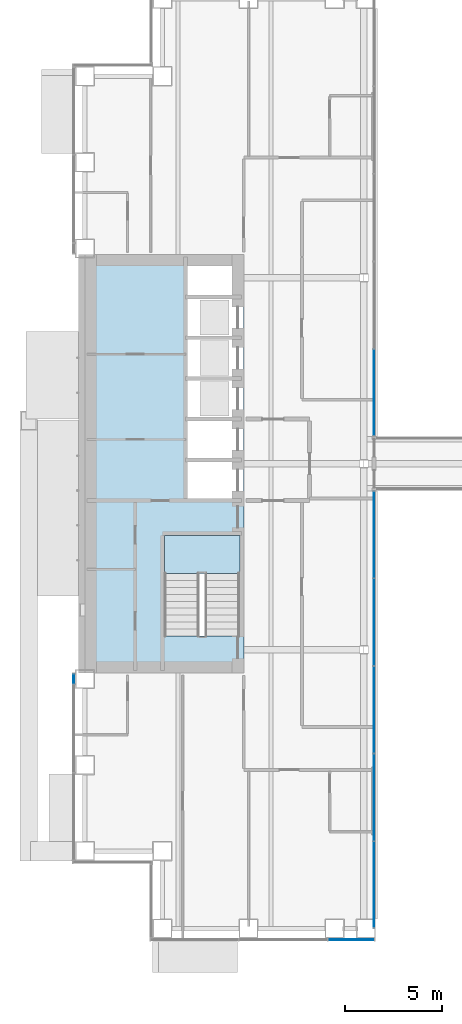
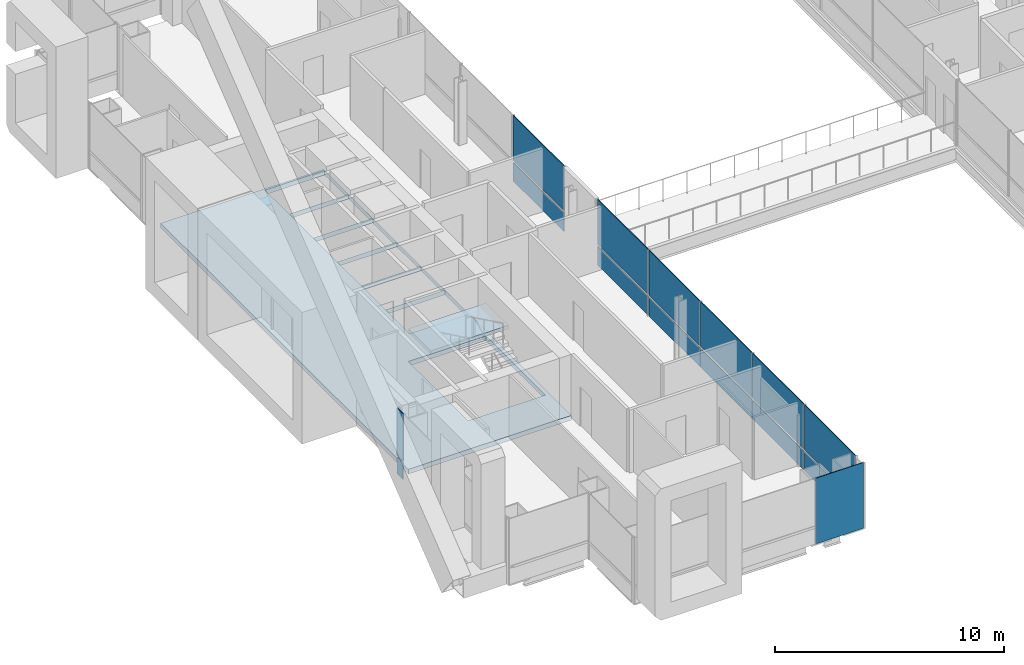
# One storey, part 12 of 26: 15 plates, 2 slabs, 5 elements without a shape of their own.
"""IFC4 building model written with IfcOpenShell, lengths in metres."""

from ifc_helpers import new_model, si_unit, direction, frame, origin, origin_2d, place, context, subcontext, project, spatial, polyline, rectangle, outline, extrude, material, layer, layer_set, type_object, element, aggregate, save


model = new_model("IFC4")

# Units and contexts
model_context = context("Model", 3, precision=1e-05, world=origin(), true_north=direction((0.0, 1.0)))
body_context = subcontext(model_context, "Body", "Model", "MODEL_VIEW")
ifc_project = project(units=[si_unit("LENGTHUNIT", "METRE"), si_unit("AREAUNIT", "SQUARE_METRE"), si_unit("VOLUMEUNIT", "CUBIC_METRE"), si_unit("PLANEANGLEUNIT", "RADIAN"), si_unit("MASSUNIT", "GRAM", prefix="KILO")], contexts=[model_context])

# Site, building, storey
site_placement = place(None, origin())
site = spatial("IfcSite", under=ifc_project, at=site_placement, CompositionType="ELEMENT")
building_placement = place(site_placement, origin())
building = spatial("IfcBuilding", under=site, at=building_placement, Name="Cobrizo Arcos Hotel Tower", CompositionType="ELEMENT")
storey_placement = place(building_placement, frame((0.0, 0.0, 67.0)))
storey = spatial("IfcBuildingStorey", under=building, at=storey_placement, Name="L15", CompositionType="ELEMENT", Elevation=67.0)

# Curtain wall, plate
ifc_material_1 = material(Name="Aluminium 6063-T6 anodised bronze", Category="aluminium")
curtain_wall_type_1 = type_object("IfcCurtainWallType", Name="CW-A guest facade", PredefinedType="NOTDEFINED", material=ifc_material_1)
curtain_wall_1_placement = place(storey_placement, origin())
curtain_wall_1 = element("IfcCurtainWall", 1, at=curtain_wall_1_placement, inside=storey, type_object=curtain_wall_type_1, Name="CW-A L15 W face", PredefinedType="NOTDEFINED")
ifc_material_2 = material(Name="Glass clear laminated low-e", Category="glass")
ifc_layer_1 = layer(ifc_material_2, 0.0400390625)
ifc_layer_set_1 = layer_set([ifc_layer_1], Name="CW-A glass panel")
plate_type_1 = type_object("IfcPlateType", Name="CW-A glass panel", PredefinedType="CURTAIN_PANEL", material=ifc_layer_set_1)
plate_1_placement = place(storey_placement, frame((-24.574951171875, -11.109375, 0.990234375), z_axis=(0.0, 0.0, 1.0), x_axis=(0.0, -1.0, 0.0)))
plate_1 = element("IfcPlate", 2, at=plate_1_placement, type_object=plate_type_1, Name="CW-A glass panel 680", PredefinedType="CURTAIN_PANEL", context=body_context, shape_type="SweptSolid", body=[
    extrude(rectangle(XDim=0.498779296875, YDim=0.0400390625, at=origin_2d()), origin(), (0.0, 0.0, 1.0), 2.510009765625),
])

curtain_wall_2_placement = place(storey_placement, origin())
curtain_wall_2 = element("IfcCurtainWall", 3, at=curtain_wall_2_placement, inside=storey, type_object=curtain_wall_type_1, Name="CW-A L15 S face", PredefinedType="NOTDEFINED")
ifc_material_3 = material(Name="Aluminium composite panel pale metal", Category="aluminium")
ifc_layer_2 = layer(ifc_material_3, 0.0400390625)
ifc_layer_set_2 = layer_set([ifc_layer_2], Name="CW-A spandrel panel")
plate_type_2 = type_object("IfcPlateType", Name="CW-A spandrel panel", PredefinedType="CURTAIN_PANEL", material=ifc_layer_set_2)
plate_2_placement = place(storey_placement, frame((-10.251220703125, -24.574951171875, 0.0), z_axis=(0.0, 0.0, 1.0), x_axis=(1.0, 0.0, 0.0)))
plate_2 = element("IfcPlate", 4, at=plate_2_placement, type_object=plate_type_2, Name="CW-A spandrel panel 655", PredefinedType="CURTAIN_PANEL", context=body_context, shape_type="SweptSolid", body=[
    extrude(rectangle(XDim=2.38232421875, YDim=0.0400390625, at=origin_2d()), origin(), (0.0, 0.0, 1.0), 3.5),
])
aggregate(curtain_wall_2, [plate_2])

# Plate
plate_3_placement = place(storey_placement, frame((-24.574951171875, -11.109375, 0.0), z_axis=(0.0, 0.0, 1.0), x_axis=(0.0, -1.0, 0.0)))
plate_3 = element("IfcPlate", 5, at=plate_3_placement, type_object=plate_type_2, Name="CW-A spandrel panel 680", PredefinedType="CURTAIN_PANEL", context=body_context, shape_type="SweptSolid", body=[
    extrude(rectangle(XDim=0.498779296875, YDim=0.0400390625, at=origin_2d()), origin(), (0.0, 0.0, 1.0), 0.8701171875),
])

aggregate(curtain_wall_1, [plate_3, plate_1])

# Curtain wall, plates
curtain_wall_type_2 = type_object("IfcCurtainWallType", Name="CW-F void screen", PredefinedType="NOTDEFINED", material=ifc_material_1)
curtain_wall_3_placement = place(storey_placement, origin())
curtain_wall_3 = element("IfcCurtainWall", 6, at=curtain_wall_3_placement, inside=storey, type_object=curtain_wall_type_2, Name="CW-F L15 void screen A", PredefinedType="NOTDEFINED")
ifc_layer_3 = layer(ifc_material_2, 0.0400390625)
ifc_layer_set_3 = layer_set([ifc_layer_3], Name="CW-F glass panel")
plate_type_3 = type_object("IfcPlateType", Name="CW-F glass panel", PredefinedType="CURTAIN_PANEL", material=ifc_layer_set_3)
plate_4_placement = place(storey_placement, frame((-9.074951171875, 3.675048828125, 0.0), z_axis=(0.0, 0.0, 1.0), x_axis=(0.0, -1.0, 0.0)))
plate_4 = element("IfcPlate", 7, at=plate_4_placement, type_object=plate_type_3, Name="CW-F glass panel 2482", PredefinedType="CURTAIN_PANEL", context=body_context, shape_type="SweptSolid", body=[
    extrude(rectangle(XDim=4.429931640625, YDim=0.0400390625, at=origin_2d()), origin(), (0.0, 0.0, 1.0), 0.989990234375),
])
plate_5_placement = place(storey_placement, frame((-9.074951171875, 3.675048828125, 1.10986328125), z_axis=(0.0, 0.0, 1.0), x_axis=(0.0, -1.0, 0.0)))
plate_5 = element("IfcPlate", 8, at=plate_5_placement, type_object=plate_type_3, Name="CW-F glass panel 2482", PredefinedType="CURTAIN_PANEL", context=body_context, shape_type="SweptSolid", body=[
    extrude(rectangle(XDim=4.429931640625, YDim=0.0400390625, at=origin_2d()), origin(), (0.0, 0.0, 1.0), 2.389892578125),
])
aggregate(curtain_wall_3, [plate_4, plate_5])

curtain_wall_4_placement = place(storey_placement, origin())
curtain_wall_4 = element("IfcCurtainWall", 9, at=curtain_wall_4_placement, inside=storey, type_object=curtain_wall_type_2, Name="CW-F L15 void screen A", PredefinedType="NOTDEFINED")
plate_6_placement = place(storey_placement, frame((-9.074951171875, -3.675048828125, 0.0), z_axis=(0.0, 0.0, 1.0), x_axis=(0.0, -1.0, 0.0)))
plate_6 = element("IfcPlate", 10, at=plate_6_placement, type_object=plate_type_3, Name="CW-F glass panel 2483", PredefinedType="CURTAIN_PANEL", context=body_context, shape_type="SweptSolid", body=[
    extrude(rectangle(XDim=4.429931640625, YDim=0.0400390625, at=origin_2d()), origin(), (0.0, 0.0, 1.0), 0.989990234375),
])
plate_7_placement = place(storey_placement, frame((-9.074951171875, -3.675048828125, 1.10986328125), z_axis=(0.0, 0.0, 1.0), x_axis=(0.0, -1.0, 0.0)))
plate_7 = element("IfcPlate", 11, at=plate_7_placement, type_object=plate_type_3, Name="CW-F glass panel 2483", PredefinedType="CURTAIN_PANEL", context=body_context, shape_type="SweptSolid", body=[
    extrude(rectangle(XDim=4.429931640625, YDim=0.0400390625, at=origin_2d()), origin(), (0.0, 0.0, 1.0), 2.389892578125),
])
plate_8_placement = place(storey_placement, frame((-9.074951171875, -8.179931640625, 0.0), z_axis=(0.0, 0.0, 1.0), x_axis=(0.0, -1.0, 0.0)))
plate_8 = element("IfcPlate", 12, at=plate_8_placement, type_object=plate_type_3, Name="CW-F glass panel 2484", PredefinedType="CURTAIN_PANEL", context=body_context, shape_type="SweptSolid", body=[
    extrude(rectangle(XDim=4.4599609375, YDim=0.0400390625, at=origin_2d()), origin(), (0.0, 0.0, 1.0), 0.989990234375),
])
plate_9_placement = place(storey_placement, frame((-9.074951171875, -8.179931640625, 1.10986328125), z_axis=(0.0, 0.0, 1.0), x_axis=(0.0, -1.0, 0.0)))
plate_9 = element("IfcPlate", 13, at=plate_9_placement, type_object=plate_type_3, Name="CW-F glass panel 2484", PredefinedType="CURTAIN_PANEL", context=body_context, shape_type="SweptSolid", body=[
    extrude(rectangle(XDim=4.4599609375, YDim=0.0400390625, at=origin_2d()), origin(), (0.0, 0.0, 1.0), 2.389892578125),
])
plate_10_placement = place(storey_placement, frame((-9.074951171875, -12.699951171875, 0.0), z_axis=(0.0, 0.0, 1.0), x_axis=(0.0, -1.0, 0.0)))
plate_10 = element("IfcPlate", 14, at=plate_10_placement, type_object=plate_type_3, Name="CW-F glass panel 2485", PredefinedType="CURTAIN_PANEL", context=body_context, shape_type="SweptSolid", body=[
    extrude(rectangle(XDim=4.4599609375, YDim=0.0400390625, at=origin_2d()), origin(), (0.0, 0.0, 1.0), 0.989990234375),
])
plate_11_placement = place(storey_placement, frame((-9.074951171875, -12.699951171875, 1.10986328125), z_axis=(0.0, 0.0, 1.0), x_axis=(0.0, -1.0, 0.0)))
plate_11 = element("IfcPlate", 15, at=plate_11_placement, type_object=plate_type_3, Name="CW-F glass panel 2485", PredefinedType="CURTAIN_PANEL", context=body_context, shape_type="SweptSolid", body=[
    extrude(rectangle(XDim=4.4599609375, YDim=0.0400390625, at=origin_2d()), origin(), (0.0, 0.0, 1.0), 2.389892578125),
])
plate_12_placement = place(storey_placement, frame((-9.074951171875, -17.219970703125, 0.0), z_axis=(0.0, 0.0, 1.0), x_axis=(0.0, -1.0, 0.0)))
plate_12 = element("IfcPlate", 16, at=plate_12_placement, type_object=plate_type_3, Name="CW-F glass panel 2486", PredefinedType="CURTAIN_PANEL", context=body_context, shape_type="SweptSolid", body=[
    extrude(rectangle(XDim=4.4599609375, YDim=0.0400390625, at=origin_2d()), origin(), (0.0, 0.0, 1.0), 0.989990234375),
])
plate_13_placement = place(storey_placement, frame((-9.074951171875, -17.219970703125, 1.10986328125), z_axis=(0.0, 0.0, 1.0), x_axis=(0.0, -1.0, 0.0)))
plate_13 = element("IfcPlate", 17, at=plate_13_placement, type_object=plate_type_3, Name="CW-F glass panel 2486", PredefinedType="CURTAIN_PANEL", context=body_context, shape_type="SweptSolid", body=[
    extrude(rectangle(XDim=4.4599609375, YDim=0.0400390625, at=origin_2d()), origin(), (0.0, 0.0, 1.0), 2.389892578125),
])
plate_14_placement = place(storey_placement, frame((-9.074951171875, -21.72509765625, 0.0), z_axis=(0.0, 0.0, 1.0), x_axis=(0.0, -1.0, 0.0)))
plate_14 = element("IfcPlate", 18, at=plate_14_placement, type_object=plate_type_3, Name="CW-F glass panel 2487", PredefinedType="CURTAIN_PANEL", context=body_context, shape_type="SweptSolid", body=[
    extrude(rectangle(XDim=4.429931640625, YDim=0.0400390625, at=origin_2d()), origin(), (0.0, 0.0, 1.0), 0.989990234375),
])
plate_15_placement = place(storey_placement, frame((-9.074951171875, -21.72509765625, 1.10986328125), z_axis=(0.0, 0.0, 1.0), x_axis=(0.0, -1.0, 0.0)))
plate_15 = element("IfcPlate", 19, at=plate_15_placement, type_object=plate_type_3, Name="CW-F glass panel 2487", PredefinedType="CURTAIN_PANEL", context=body_context, shape_type="SweptSolid", body=[
    extrude(rectangle(XDim=4.429931640625, YDim=0.0400390625, at=origin_2d()), origin(), (0.0, 0.0, 1.0), 2.389892578125),
])
aggregate(curtain_wall_4, [plate_6, plate_7, plate_8, plate_9, plate_10, plate_11, plate_12, plate_13, plate_14, plate_15])

# Slab
ifc_material_4 = material(Name="Concrete f'c 60 MPa", Category="concrete")
ifc_layer_4 = layer(ifc_material_4, 0.25)
ifc_layer_set_4 = layer_set([ifc_layer_4], Name="RC core floor slab 250 f'c 60")
slab_type_1 = type_object("IfcSlabType", Name="RC core floor slab 250 f'c 60", PredefinedType="FLOOR", material=ifc_layer_set_4)
slab_1_placement = place(storey_placement, frame((0.0, 0.0, -0.25)))
element("IfcSlab", 20, at=slab_1_placement, inside=storey, type_object=slab_type_1, Name="Core floor slab CS3, west core, L15", PredefinedType="FLOOR", context=body_context, shape_type="SweptSolid", body=[
    extrude(outline(polyline([(-24.0, 10.800048828125), (-15.800048828125, 10.800048828125), (-15.800048828125, -10.800048828125), (-24.0, -10.800048828125), (-24.0, 10.800048828125)]), holes=[polyline([(-19.89794921875, -3.701904296875), (-19.89794921875, -8.89794921875), (-16.001953125, -8.89794921875), (-16.001953125, -3.701904296875), (-19.89794921875, -3.701904296875)]), polyline([(-18.798095703125, 0.197998046875), (-18.798095703125, -1.89794921875), (-15.802001953125, -1.89794921875), (-15.802001953125, 0.197998046875), (-18.798095703125, 0.197998046875)]), polyline([(-15.802001953125, 2.298095703125), (-18.798095703125, 2.298095703125), (-18.798095703125, 0.201904296875), (-15.802001953125, 0.201904296875), (-15.802001953125, 2.298095703125)]), polyline([(-15.802001953125, 4.39794921875), (-18.798095703125, 4.39794921875), (-18.798095703125, 2.302001953125), (-15.802001953125, 2.302001953125), (-15.802001953125, 4.39794921875)]), polyline([(-18.798095703125, 6.498046875), (-18.798095703125, 4.402099609375), (-15.802001953125, 4.402099609375), (-15.802001953125, 6.498046875), (-18.798095703125, 6.498046875)]), polyline([(-15.802001953125, 8.597900390625), (-18.798095703125, 8.597900390625), (-18.798095703125, 6.501953125), (-15.802001953125, 6.501953125), (-15.802001953125, 8.597900390625)]), polyline([(-15.802001953125, 10.697998046875), (-18.798095703125, 10.697998046875), (-18.798095703125, 8.60205078125), (-15.802001953125, 8.60205078125), (-15.802001953125, 10.697998046875)])]), origin(), (0.0, 0.0, 1.0), 0.25),
])

# Stair, slab
ifc_material_5 = material(Name="Concrete f'c 40 MPa", Category="concrete")
stair_type = type_object("IfcStairType", Name="Exit stair", PredefinedType="HALF_TURN_STAIR", material=ifc_material_5)
stair_placement = place(storey_placement, origin())
stair = element("IfcStair", 21, at=stair_placement, inside=storey, type_object=stair_type, Name="L15 Exit stair ST-W", PredefinedType="HALF_TURN_STAIR")
ifc_layer_5 = layer(ifc_material_5, 0.199951171875)
ifc_layer_set_5 = layer_set([ifc_layer_5], Name="Stair landing")
slab_type_2 = type_object("IfcSlabType", Name="Stair landing", PredefinedType="LANDING", material=ifc_layer_set_5)
slab_2_placement = place(storey_placement, frame((0.0, 0.0, 1.550048828125)))
slab_2 = element("IfcSlab", 22, at=slab_2_placement, type_object=slab_type_2, Name="ST-W landing 1", PredefinedType="LANDING", context=body_context, shape_type="SweptSolid", body=[
    extrude(outline(polyline([(-16.0, -5.659912109375), (-16.0, -3.699951171875), (-19.89990234375, -3.699951171875), (-19.89990234375, -5.659912109375), (-16.0, -5.659912109375)])), origin(), (0.0, 0.0, 1.0), 0.199951171875),
])
aggregate(stair, [slab_2])

save(model, "model.ifc")
